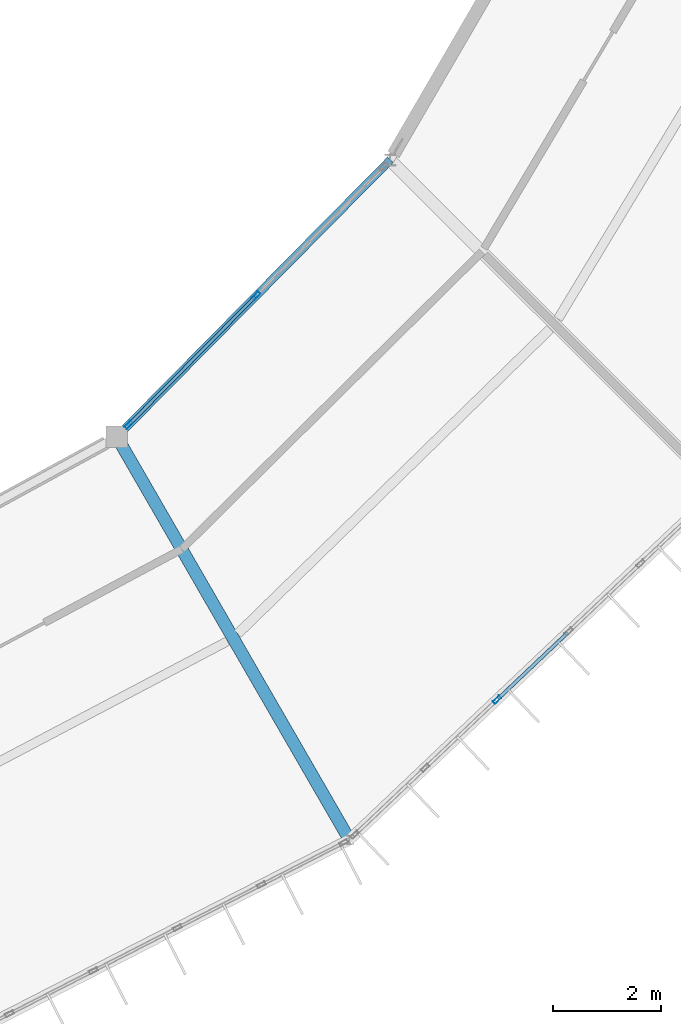
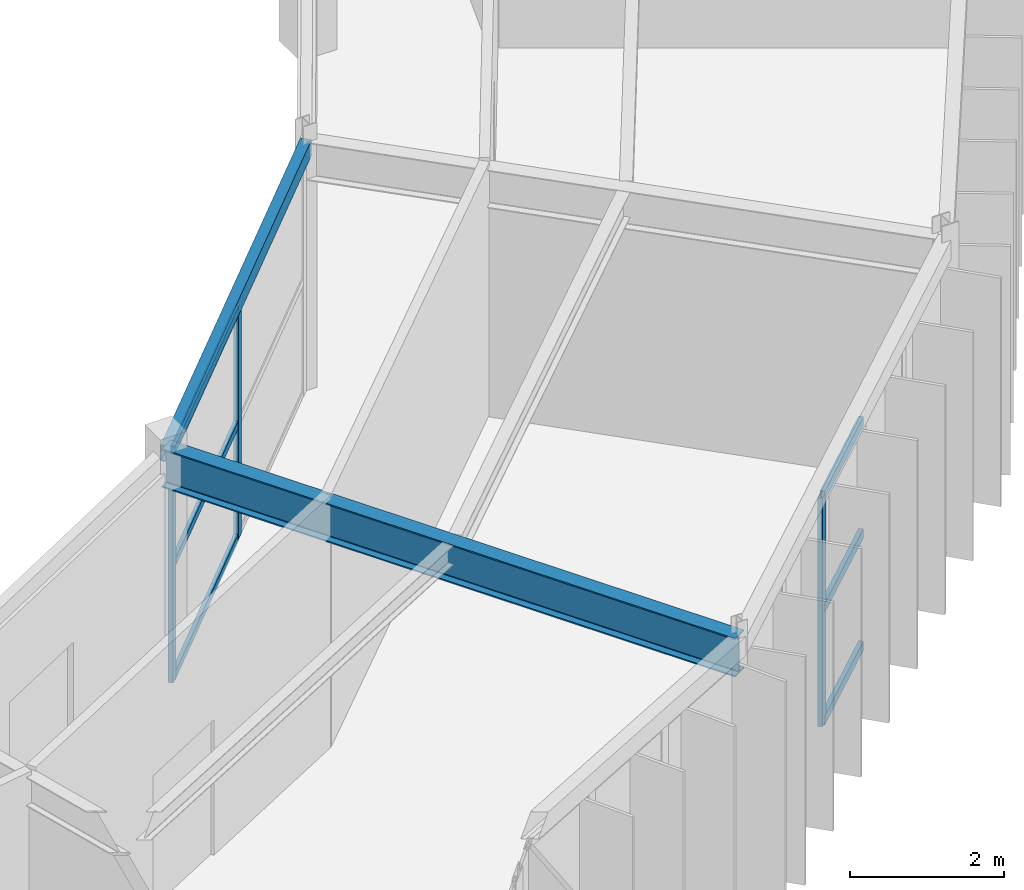
# One storey, part 45 of 130: 9 members, 2 beams, 2 elements without a shape of their own.
"""IFC4 building model written with IfcOpenShell, lengths in metres."""

from ifc_helpers import new_model, si_unit, direction, frame, origin, origin_2d, place, context, subcontext, project, spatial, hollow_rectangle, i_section, extrude, material, material_profile, profile_set, type_object, element, aggregate, save


model = new_model("IFC4")

# Units and contexts
model_context = context("Model", 3, precision=1e-05, world=origin(), true_north=direction((0.0, 1.0)))
body_context = subcontext(model_context, "Body", "Model", "MODEL_VIEW")
ifc_project = project(units=[si_unit("LENGTHUNIT", "METRE"), si_unit("AREAUNIT", "SQUARE_METRE"), si_unit("VOLUMEUNIT", "CUBIC_METRE"), si_unit("PLANEANGLEUNIT", "RADIAN"), si_unit("MASSUNIT", "GRAM", prefix="KILO")], contexts=[model_context])

# Site, building, storey
site_placement = place(None, origin())
site = spatial("IfcSite", under=ifc_project, at=site_placement, CompositionType="ELEMENT")
building_placement = place(site_placement, origin())
building = spatial("IfcBuilding", under=site, at=building_placement, Name="Karori Crest Natural Sciences Institute", CompositionType="ELEMENT")
storey_placement = place(building_placement, frame((0.0, 0.0, 17.5)))
storey = spatial("IfcBuildingStorey", under=building, at=storey_placement, Name="L04", CompositionType="ELEMENT", Elevation=17.5)

# Beams
ifc_material_1 = material(Name="Structural steel AS/NZS 3679.1 Grade 350", Category="steel")
ifc_material_profile_1 = material_profile(ifc_material_1, i_section(OverallWidth=0.22900390625, OverallDepth=0.612060546875, WebThickness=0.011962890625, FlangeThickness=0.01953125, FilletRadius=0.013916015625, at=origin_2d()), Name="610UB125")
ifc_profile_set_1 = profile_set([ifc_material_profile_1], Name="Structural steel AS/NZS 3679.1 Grade 350")
beam_type_1 = type_object("IfcBeamType", Name="BT-04", PredefinedType="BEAM", material=ifc_profile_set_1)
beam_1_placement = place(storey_placement, frame((78.60009765625, 22.013916015625, 3.634033203125), z_axis=(0.499986217557, -0.866033360935, 0.0), x_axis=(0.866033360935, 0.499986217557, 0.0)))
element("IfcBeam", 1, at=beam_1_placement, inside=storey, type_object=beam_type_1, Name="Beam B-0528", PredefinedType="BEAM", context=body_context, shape_type="SweptSolid", body=[
    extrude(i_section(OverallWidth=0.22900390625, OverallDepth=0.612060546875, WebThickness=0.011962890625, FlangeThickness=0.01953125, FilletRadius=0.013916015625, at=origin_2d()), origin(), (0.0, 0.0, 1.0), 8.599853515625),
])
ifc_material_2 = material(Name="Hollow structural steel AS/NZS 1163 Grade C350", Category="steel")
ifc_material_profile_2 = material_profile(ifc_material_2, hollow_rectangle(XDim=0.14990234375, YDim=0.25, WallThickness=0.009033203125, at=origin_2d()), Name="RHS250x150x9")
ifc_profile_set_2 = profile_set([ifc_material_profile_2], Name="Hollow structural steel AS/NZS 1163 Grade C350")
beam_type_2 = type_object("IfcBeamType", Name="BT-16", PredefinedType="SPANDREL", material=ifc_profile_set_2)
beam_2_placement = place(storey_placement, frame((78.60009765625, 22.013916015625, 3.7900390625), z_axis=(0.702645672149, 0.711539921164, 0.0), x_axis=(-0.711539921164, 0.702645672149, 0.0)))
element("IfcBeam", 2, at=beam_2_placement, inside=storey, type_object=beam_type_2, Name="Beam B-0527", PredefinedType="SPANDREL", context=body_context, shape_type="SweptSolid", body=[
    extrude(hollow_rectangle(XDim=0.14990234375, YDim=0.25, WallThickness=0.009033203125, at=origin_2d()), origin(), (0.0, 0.0, 1.0), 7.191650390625),
])

# Curtain wall, member
ifc_material_3 = material(Name="Anodised architectural aluminium 6063-T6", Category="aluminium")
curtain_wall_type_1 = type_object("IfcCurtainWallType", Name="CWT-01", PredefinedType="NOTDEFINED", material=ifc_material_3)
curtain_wall_1_placement = place(storey_placement, origin())
curtain_wall_1 = element("IfcCurtainWall", 3, at=curtain_wall_1_placement, inside=storey, type_object=curtain_wall_type_1, Name="Curtain wall CW-0166", PredefinedType="NOTDEFINED")
ifc_material_profile_3 = material_profile(ifc_material_3, hollow_rectangle(XDim=0.06494140625, YDim=0.159912109375, WallThickness=0.00390625, at=origin_2d()), Name="CWM160x65x4")
ifc_profile_set_3 = profile_set([ifc_material_profile_3], Name="Anodised architectural aluminium 6063-T6")
member_type_1 = type_object("IfcMemberType", Name="CWM-01", PredefinedType="MULLION", material=ifc_profile_set_3)
member_1_placement = place(storey_placement, frame((85.62841796875, 17.15478515625, 0.0), z_axis=(0.0, 0.0, 1.0), x_axis=(0.688250542104, -0.725473081026, 0.0)))
member_1 = element("IfcMember", 4, at=member_1_placement, type_object=member_type_1, Name="CW-0166 mullion 4", PredefinedType="MULLION", context=body_context, shape_type="SweptSolid", body=[
    extrude(hollow_rectangle(XDim=0.06494140625, YDim=0.159912109375, WallThickness=0.00390625, at=origin_2d()), origin(), (0.0, 0.0, 1.0), 3.625),
])

# Curtain wall, members
curtain_wall_type_2 = type_object("IfcCurtainWallType", Name="CWT-11", PredefinedType="NOTDEFINED", material=ifc_material_3)
curtain_wall_2_placement = place(storey_placement, origin())
curtain_wall_2 = element("IfcCurtainWall", 5, at=curtain_wall_2_placement, inside=storey, type_object=curtain_wall_type_2, Name="Curtain wall CW-0167", PredefinedType="NOTDEFINED")
member_2_placement = place(storey_placement, frame((78.81884765625, 22.23583984375, 0.0), z_axis=(0.0, 0.0, 1.0), x_axis=(-0.711524963942, 0.702660818381, 0.0)))
member_2 = element("IfcMember", 6, at=member_2_placement, type_object=member_type_1, Name="CW-0167 mullion 1", PredefinedType="MULLION", context=body_context, shape_type="SweptSolid", body=[
    extrude(hollow_rectangle(XDim=0.06494140625, YDim=0.159912109375, WallThickness=0.00390625, at=origin_2d()), origin(), (0.0, 0.0, 1.0), 3.64990234375),
])
member_3_placement = place(storey_placement, frame((81.17431640625, 24.62060546875, 0.0), z_axis=(0.0, 0.0, 1.0), x_axis=(-0.711524963942, 0.702660818381, 0.0)))
member_3 = element("IfcMember", 7, at=member_3_placement, type_object=member_type_1, Name="CW-0167 mullion 2", PredefinedType="MULLION", context=body_context, shape_type="SweptSolid", body=[
    extrude(hollow_rectangle(XDim=0.06494140625, YDim=0.159912109375, WallThickness=0.00390625, at=origin_2d()), origin(), (0.0, 0.0, 1.0), 3.64990234375),
])
ifc_material_profile_4 = material_profile(ifc_material_3, hollow_rectangle(XDim=0.06005859375, YDim=0.1201171875, WallThickness=0.00390625, at=origin_2d()), Name="CWT120x60x4")
ifc_profile_set_4 = profile_set([ifc_material_profile_4], Name="Anodised architectural aluminium 6063-T6")
member_type_2 = type_object("IfcMemberType", Name="CWT-TR1", PredefinedType="USERDEFINED", material=ifc_profile_set_4)
member_4_placement = place(storey_placement, frame((78.841796875, 22.2587890625, 0.030029296875), z_axis=(0.702636271003, 0.711549204673, 0.0), x_axis=(-0.711549204673, 0.702636271003, 0.0)))
member_4 = element("IfcMember", 8, at=member_4_placement, type_object=member_type_2, Name="CW-0167 transom 1.1", ObjectType="TRANSOM", PredefinedType="USERDEFINED", context=body_context, shape_type="SweptSolid", body=[
    extrude(hollow_rectangle(XDim=0.06005859375, YDim=0.1201171875, WallThickness=0.00390625, at=origin_2d()), origin(), (0.0, 0.0, 1.0), 3.287109375),
])
member_5_placement = place(storey_placement, frame((78.841796875, 22.2587890625, 1.824951171875), z_axis=(0.702636271003, 0.711549204673, 0.0), x_axis=(-0.711549204673, 0.702636271003, 0.0)))
member_5 = element("IfcMember", 9, at=member_5_placement, type_object=member_type_2, Name="CW-0167 transom 1.2", ObjectType="TRANSOM", PredefinedType="USERDEFINED", context=body_context, shape_type="SweptSolid", body=[
    extrude(hollow_rectangle(XDim=0.06005859375, YDim=0.1201171875, WallThickness=0.00390625, at=origin_2d()), origin(), (0.0, 0.0, 1.0), 3.287109375),
])
member_6_placement = place(storey_placement, frame((78.841796875, 22.2587890625, 3.6201171875), z_axis=(0.702636271003, 0.711549204673, 0.0), x_axis=(-0.711549204673, 0.702636271003, 0.0)))
member_6 = element("IfcMember", 10, at=member_6_placement, type_object=member_type_2, Name="CW-0167 transom 1.3", ObjectType="TRANSOM", PredefinedType="USERDEFINED", context=body_context, shape_type="SweptSolid", body=[
    extrude(hollow_rectangle(XDim=0.06005859375, YDim=0.1201171875, WallThickness=0.00390625, at=origin_2d()), origin(), (0.0, 0.0, 1.0), 3.287109375),
])
aggregate(curtain_wall_2, [member_2, member_3, member_4, member_5, member_6])

# Member
ifc_material_profile_5 = material_profile(ifc_material_3, hollow_rectangle(XDim=0.06494140625, YDim=0.14990234375, WallThickness=0.00390625, at=origin_2d()), Name="CWT150x65x4")
ifc_profile_set_5 = profile_set([ifc_material_profile_5], Name="Anodised architectural aluminium 6063-T6")
member_type_3 = type_object("IfcMemberType", Name="CWT-TR2", PredefinedType="USERDEFINED", material=ifc_profile_set_5)
member_7_placement = place(storey_placement, frame((86.931396484375, 18.390869140625, 0.032470703125), z_axis=(-0.725414069786, -0.688312739499, 0.0), x_axis=(0.688312739499, -0.725414069786, 0.0)))
member_7 = element("IfcMember", 11, at=member_7_placement, type_object=member_type_3, Name="CW-0166 transom 3.1", ObjectType="TRANSOM", PredefinedType="USERDEFINED", context=body_context, shape_type="SweptSolid", body=[
    extrude(hollow_rectangle(XDim=0.06494140625, YDim=0.14990234375, WallThickness=0.00390625, at=origin_2d()), origin(), (0.0, 0.0, 1.0), 1.763427734375),
])

member_8_placement = place(storey_placement, frame((86.931396484375, 18.390869140625, 1.8125), z_axis=(-0.725414069786, -0.688312739499, 0.0), x_axis=(0.688312739499, -0.725414069786, 0.0)))
member_8 = element("IfcMember", 12, at=member_8_placement, type_object=member_type_3, Name="CW-0166 transom 3.2", ObjectType="TRANSOM", PredefinedType="USERDEFINED", context=body_context, shape_type="SweptSolid", body=[
    extrude(hollow_rectangle(XDim=0.06494140625, YDim=0.14990234375, WallThickness=0.00390625, at=origin_2d()), origin(), (0.0, 0.0, 1.0), 1.763427734375),
])

member_9_placement = place(storey_placement, frame((86.931396484375, 18.390869140625, 3.592529296875), z_axis=(-0.725414069786, -0.688312739499, 0.0), x_axis=(0.688312739499, -0.725414069786, 0.0)))
member_9 = element("IfcMember", 13, at=member_9_placement, type_object=member_type_3, Name="CW-0166 transom 3.3", ObjectType="TRANSOM", PredefinedType="USERDEFINED", context=body_context, shape_type="SweptSolid", body=[
    extrude(hollow_rectangle(XDim=0.06494140625, YDim=0.14990234375, WallThickness=0.00390625, at=origin_2d()), origin(), (0.0, 0.0, 1.0), 1.763427734375),
])

aggregate(curtain_wall_1, [member_1, member_7, member_8, member_9])

save(model, "model.ifc")
